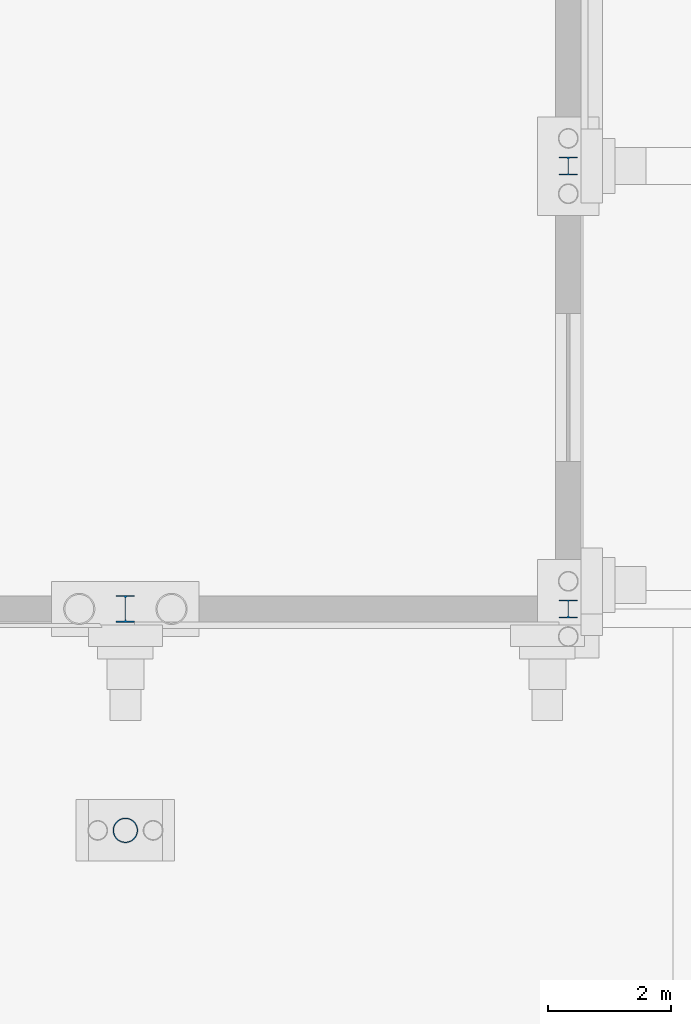
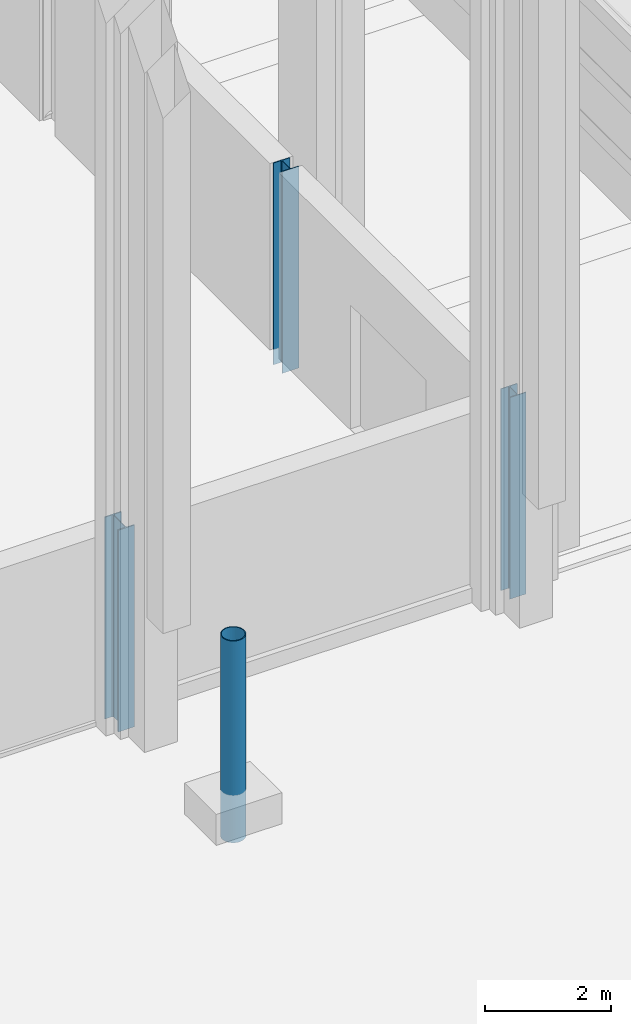
# One storey, part 52 of 148: 4 columns.
"""IFC4 building model written with IfcOpenShell, lengths in metres."""

from ifc_helpers import new_model, si_unit, direction, frame, origin, origin_2d, place, context, subcontext, project, spatial, hollow_circle, i_section, extrude, material, material_profile, profile_set, type_object, element, save


model = new_model("IFC4")

# Units and contexts
model_context = context("Model", 3, precision=1e-05, world=origin(), true_north=direction((0.0, 1.0)))
body_context = subcontext(model_context, "Body", "Model", "MODEL_VIEW")
ifc_project = project(units=[si_unit("LENGTHUNIT", "METRE"), si_unit("AREAUNIT", "SQUARE_METRE"), si_unit("VOLUMEUNIT", "CUBIC_METRE"), si_unit("PLANEANGLEUNIT", "RADIAN"), si_unit("MASSUNIT", "GRAM", prefix="KILO")], contexts=[model_context])

# Site, building, storey
site_placement = place(None, origin())
site = spatial("IfcSite", under=ifc_project, at=site_placement, CompositionType="ELEMENT")
building_placement = place(site_placement, origin())
building = spatial("IfcBuilding", under=site, at=building_placement, Name="Kupolbacken Congress Centre", CompositionType="ELEMENT")
storey_placement = place(building_placement, origin())
storey = spatial("IfcBuildingStorey", under=building, at=storey_placement, Name="L00", CompositionType="ELEMENT", Elevation=0.0)

# Columns
ifc_material_1 = material(Name="Steel S355", Category="steel")
ifc_material_profile_1 = material_profile(ifc_material_1, i_section(OverallWidth=0.300048828125, OverallDepth=0.43994140625, WebThickness=0.011474609375, FlangeThickness=0.02099609375, FilletRadius=0.027099609375, at=origin_2d()), Name="HEA 450")
ifc_profile_set_1 = profile_set([ifc_material_profile_1], Name="Steel S355")
column_type_1 = type_object("IfcColumnType", Name="C07 column HEA 450", PredefinedType="COLUMN", material=ifc_profile_set_1)
column_1_placement = place(storey_placement, frame((194.39990234375, 43.199951171875, -0.300048828125), z_axis=(0.0, 0.0, 1.0), x_axis=(1.0, 0.0, 0.0)))
element("IfcColumn", 1, at=column_1_placement, inside=storey, type_object=column_type_1, Name="S/col/C-H-T8S/L00", PredefinedType="COLUMN", context=body_context, shape_type="SweptSolid", body=[
    extrude(i_section(OverallWidth=0.300048828125, OverallDepth=0.43994140625, WebThickness=0.011474609375, FlangeThickness=0.02099609375, FilletRadius=0.027099609375, at=origin_2d()), origin(), (0.0, 0.0, 1.0), 3.900146484375),
])
ifc_material_2 = material(Name="Steel S355", Category="steel")
ifc_material_profile_2 = material_profile(ifc_material_2, i_section(OverallWidth=0.300048828125, OverallDepth=0.2900390625, WebThickness=0.008544921875, FlangeThickness=0.013916015625, FilletRadius=0.027099609375, at=origin_2d()), Name="HEA 300")
ifc_profile_set_2 = profile_set([ifc_material_profile_2], Name="Steel S355")
column_type_2 = type_object("IfcColumnType", Name="C09 column HEA 300", PredefinedType="COLUMN", material=ifc_profile_set_2)
for number, where, z_axis, x_axis, name in (
    (2, (201.60009765625, 43.199951171875, -0.300048828125), (0.0, 0.0, 1.0), (1.0, 0.0, 0.0), "S/col/C-H-PE01/L00"),
    (3, (201.60009765625, 50.39990234375, -0.300048828125), (0.0, 0.0, 1.0), (1.0, 0.0, 0.0), "S/col/C-H-PE02/L00"),
):
    element("IfcColumn", number, at=place(storey_placement, frame(where, z_axis=z_axis, x_axis=x_axis)), inside=storey, type_object=column_type_2, Name=name, PredefinedType="COLUMN", context=body_context, shape_type="SweptSolid", body=[
        extrude(i_section(OverallWidth=0.300048828125, OverallDepth=0.2900390625, WebThickness=0.008544921875, FlangeThickness=0.013916015625, FilletRadius=0.027099609375, at=origin_2d()), origin(), (0.0, 0.0, 1.0), 3.900146484375),
    ])
ifc_material_3 = material(Name="Steel S355", Category="steel")
ifc_material_profile_3 = material_profile(ifc_material_3, hollow_circle(Radius=0.203125, WallThickness=0.01611328125, at=origin_2d()), Name="CHS 406.4 x 16")
ifc_profile_set_3 = profile_set([ifc_material_profile_3], Name="Steel S355")
column_type_3 = type_object("IfcColumnType", Name="C15 roof mast CHS 406.4 x 16", PredefinedType="COLUMN", material=ifc_profile_set_3)
column_2_placement = place(storey_placement, frame((194.39990234375, 39.60009765625, -0.300048828125), z_axis=(0.0, 0.0, 1.0), x_axis=(1.0, 0.0, 0.0)))
element("IfcColumn", 4, at=column_2_placement, inside=storey, type_object=column_type_3, Name="Roof mast M8S", PredefinedType="COLUMN", context=body_context, shape_type="SweptSolid", body=[
    extrude(hollow_circle(Radius=0.203125, WallThickness=0.01611328125, at=origin_2d()), origin(), (0.0, 0.0, 1.0), 3.900146484375),
])

save(model, "model.ifc")
